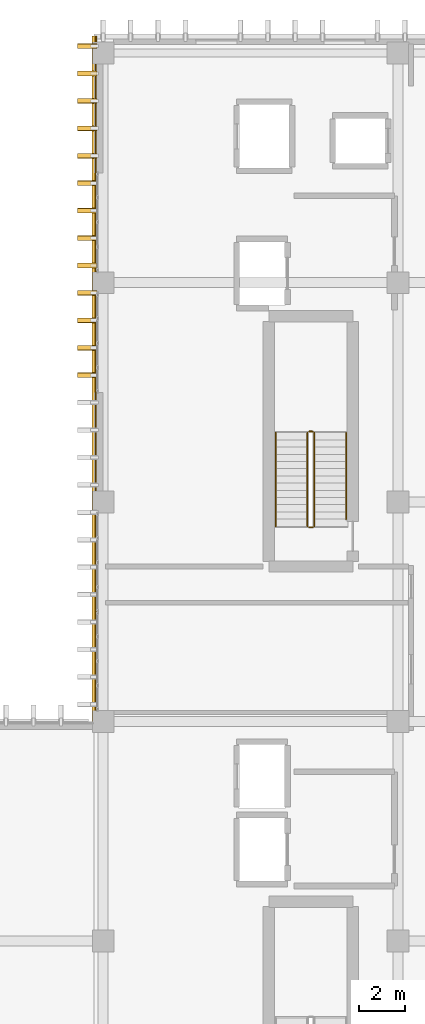
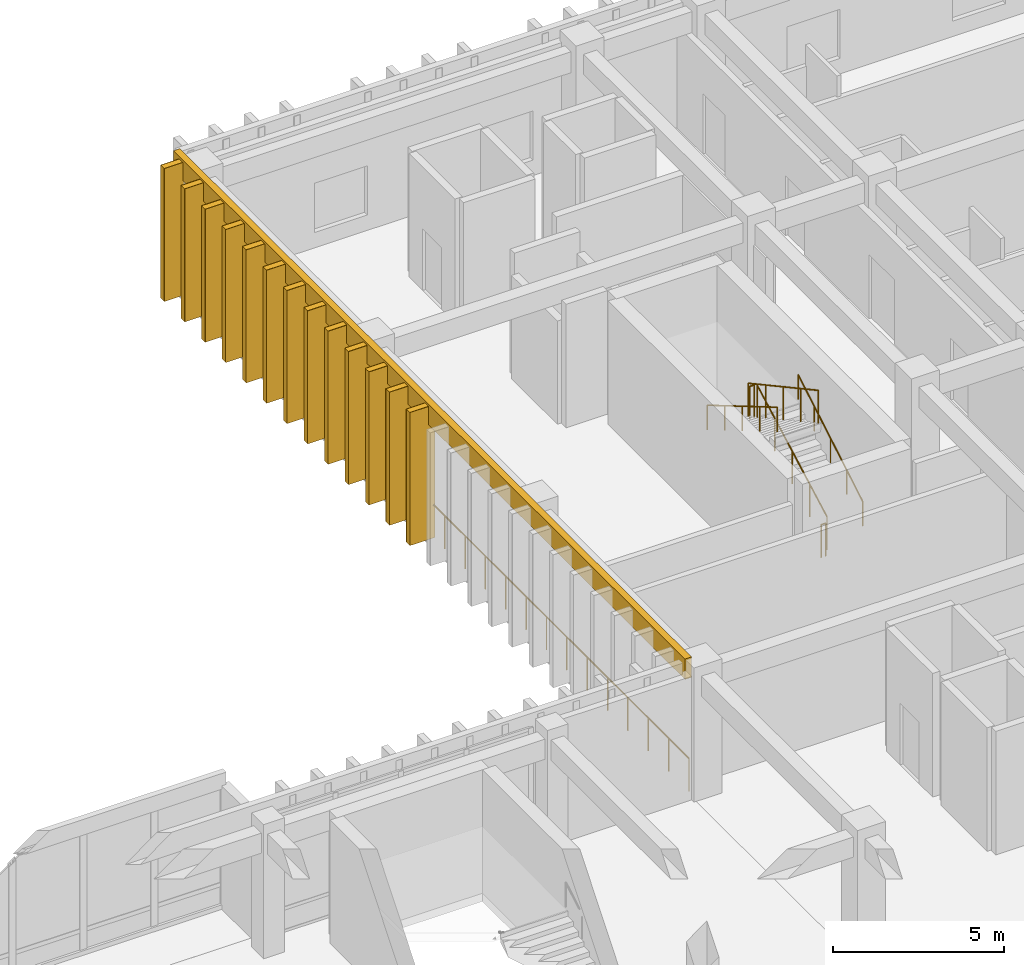
# One storey, part 132 of 133: 14 coverings, 13 shading devices, 7 railings.
"""IFC4 building model written with IfcOpenShell, lengths in metres."""

from ifc_helpers import new_model, si_unit, direction, frame, origin, origin_2d, place, context, subcontext, project, spatial, rectangle, circle, extrude, material, layer, layer_set, type_object, element, save


model = new_model("IFC4")

# Units and contexts
model_context = context("Model", 3, precision=1e-05, world=origin(), true_north=direction((0.0, 1.0)))
body_context = subcontext(model_context, "Body", "Model", "MODEL_VIEW")
ifc_project = project(units=[si_unit("LENGTHUNIT", "METRE"), si_unit("AREAUNIT", "SQUARE_METRE"), si_unit("VOLUMEUNIT", "CUBIC_METRE"), si_unit("PLANEANGLEUNIT", "RADIAN"), si_unit("MASSUNIT", "GRAM", prefix="KILO")], contexts=[model_context])

# Site, building, storey
site_placement = place(None, origin())
site = spatial("IfcSite", under=ifc_project, at=site_placement, CompositionType="ELEMENT")
building_placement = place(site_placement, origin())
building = spatial("IfcBuilding", under=site, at=building_placement, Name="Nakhvara Creek Congress Hotel", CompositionType="ELEMENT")
storey_placement = place(building_placement, frame((0.0, 0.0, 11.39990234375)))
storey = spatial("IfcBuildingStorey", under=building, at=storey_placement, Name="L02", CompositionType="ELEMENT", Elevation=11.39990234375)

# Coverings
ifc_material_1 = material(Name="Honed pale Omani limestone architectural cladding", Category="masonry")
ifc_layer_1 = layer(ifc_material_1, 0.219970703125)
ifc_layer_set_1 = layer_set([ifc_layer_1], Name="Honed pale Omani limestone architectural cladding")
covering_type_1 = type_object("IfcCoveringType", Name="COV-FIN-850", PredefinedType="CLADDING", material=ifc_layer_set_1)
for number, where, z_axis, x_axis, name in (
    (1, (148.7451171875, 111.14990234375, 0.0), (0.0, 0.0, 1.0), (0.0, 1.0, 0.0), "Pale Limestone Fin Cladding CF01-0957"),
    (2, (148.7451171875, 112.35009765625, 0.0), (0.0, 0.0, 1.0), (0.0, 1.0, 0.0), "Pale Limestone Fin Cladding CF01-0958"),
    (3, (148.7451171875, 113.550048828125, 0.0), (0.0, 0.0, 1.0), (0.0, 1.0, 0.0), "Pale Limestone Fin Cladding CF01-0960"),
    (4, (148.7451171875, 114.75, 0.0), (0.0, 0.0, 1.0), (0.0, 1.0, 0.0), "Pale Limestone Fin Cladding CF01-0962"),
    (5, (148.7451171875, 115.949951171875, 0.0), (0.0, 0.0, 1.0), (0.0, 1.0, 0.0), "Pale Limestone Fin Cladding CF01-0964"),
    (6, (148.7451171875, 117.14990234375, 0.0), (0.0, 0.0, 1.0), (0.0, 1.0, 0.0), "Pale Limestone Fin Cladding CF01-0966"),
    (7, (148.7451171875, 118.35009765625, 0.0), (0.0, 0.0, 1.0), (0.0, 1.0, 0.0), "Pale Limestone Fin Cladding CF01-0968"),
    (8, (148.7451171875, 119.550048828125, 0.0), (0.0, 0.0, 1.0), (0.0, 1.0, 0.0), "Pale Limestone Fin Cladding CF01-0970"),
    (9, (148.7451171875, 120.75, 0.0), (0.0, 0.0, 1.0), (0.0, 1.0, 0.0), "Pale Limestone Fin Cladding CF01-0972"),
    (10, (148.7451171875, 121.949951171875, 0.0), (0.0, 0.0, 1.0), (0.0, 1.0, 0.0), "Pale Limestone Fin Cladding CF01-0974"),
    (11, (148.7451171875, 123.14990234375, 0.0), (0.0, 0.0, 1.0), (0.0, 1.0, 0.0), "Pale Limestone Fin Cladding CF01-0976"),
    (12, (148.7451171875, 124.35009765625, 0.0), (0.0, 0.0, 1.0), (0.0, 1.0, 0.0), "Pale Limestone Fin Cladding CF01-0978"),
    (13, (148.7451171875, 125.550048828125, 0.0), (0.0, 0.0, 1.0), (0.0, 1.0, 0.0), "Pale Limestone Fin Cladding CF01-0980"),
):
    element("IfcCovering", number, at=place(storey_placement, frame(where, z_axis=z_axis, x_axis=x_axis)), inside=storey, type_object=covering_type_1, Name=name, PredefinedType="CLADDING", context=body_context, shape_type="SweptSolid", body=[
        extrude(rectangle(XDim=0.219970703125, YDim=0.85009765625, at=origin_2d()), origin(), (0.0, 0.0, 1.0), 4.760009765625),
    ])
ifc_layer_2 = layer(ifc_material_1, 0.179931640625)
ifc_layer_set_2 = layer_set([ifc_layer_2], Name="Honed pale Omani limestone architectural cladding")
covering_type_2 = type_object("IfcCoveringType", Name="COV-SPN-180", PredefinedType="CLADDING", material=ifc_layer_set_2)
covering_placement = place(storey_placement, frame((149.06005859375, 111.0, 4.110107421875), z_axis=(0.0, 0.0, 1.0), x_axis=(0.0, 1.0, 0.0)))
element("IfcCovering", 14, at=covering_placement, inside=storey, type_object=covering_type_2, Name="Pale Limestone Spandrel Band CF02-0050", PredefinedType="CLADDING", context=body_context, shape_type="SweptSolid", body=[
    extrude(rectangle(XDim=30.0, YDim=0.219970703125, at=origin_2d()), origin(), (0.0, 0.0, 1.0), 0.72998046875),
])

# Railings
ifc_material_2 = material(Name="Brushed stainless steel 316L", Category="steel")
railing_type_1 = type_object("IfcRailingType", Name="RL-GUARD-1200", PredefinedType="GUARDRAIL", material=ifc_material_2)
railing_1_placement = place(storey_placement, frame((149.1298828125, 96.080078125, 0.0)))
element("IfcRailing", 15, at=railing_1_placement, inside=storey, type_object=railing_type_1, Name="Perimeter Safety Rail West North L02", PredefinedType="GUARDRAIL", context=body_context, shape_type="SweptSolid", body=[
    extrude(circle(Radius=0.02392578125, at=origin_2d()), frame((0.0, 0.0146484375, 1.17578125), z_axis=(0.0, 1.0, 0.0), x_axis=(-1.0, 0.0, 0.0)), (0.0, 0.0, 1.0), 29.810546875),
    extrude(circle(Radius=0.02099609375, at=origin_2d()), origin(), (0.0, 0.0, 1.0), 1.1806640625),
    extrude(circle(Radius=0.02099609375, at=origin_2d()), frame((0.0, 1.193603515625, 0.0)), (0.0, 0.0, 1.0), 1.1806640625),
    extrude(circle(Radius=0.02099609375, at=origin_2d()), frame((0.0, 2.38720703125, 0.0)), (0.0, 0.0, 1.0), 1.1806640625),
    extrude(circle(Radius=0.02099609375, at=origin_2d()), frame((0.0, 3.580810546875, 0.0)), (0.0, 0.0, 1.0), 1.1806640625),
    extrude(circle(Radius=0.02099609375, at=origin_2d()), frame((0.0, 4.7744140625, 0.0)), (0.0, 0.0, 1.0), 1.1806640625),
    extrude(circle(Radius=0.02099609375, at=origin_2d()), frame((0.0, 5.968017578125, 0.0)), (0.0, 0.0, 1.0), 1.1806640625),
    extrude(circle(Radius=0.02099609375, at=origin_2d()), frame((0.0, 7.16162109375, 0.0)), (0.0, 0.0, 1.0), 1.1806640625),
    extrude(circle(Radius=0.02099609375, at=origin_2d()), frame((0.0, 8.355224609375, 0.0)), (0.0, 0.0, 1.0), 1.1806640625),
    extrude(circle(Radius=0.02099609375, at=origin_2d()), frame((0.0, 9.548828125, 0.0)), (0.0, 0.0, 1.0), 1.1806640625),
    extrude(circle(Radius=0.02099609375, at=origin_2d()), frame((0.0, 10.742431640625, 0.0)), (0.0, 0.0, 1.0), 1.1806640625),
    extrude(circle(Radius=0.02099609375, at=origin_2d()), frame((0.0, 11.93603515625, 0.0)), (0.0, 0.0, 1.0), 1.1806640625),
    extrude(circle(Radius=0.02099609375, at=origin_2d()), frame((0.0, 13.129638671875, 0.0)), (0.0, 0.0, 1.0), 1.1806640625),
    extrude(circle(Radius=0.02099609375, at=origin_2d()), frame((0.0, 14.3232421875, 0.0)), (0.0, 0.0, 1.0), 1.1806640625),
    extrude(circle(Radius=0.02099609375, at=origin_2d()), frame((0.0, 15.5166015625, 0.0)), (0.0, 0.0, 1.0), 1.1806640625),
    extrude(circle(Radius=0.02099609375, at=origin_2d()), frame((0.0, 16.710205078125, 0.0)), (0.0, 0.0, 1.0), 1.1806640625),
    extrude(circle(Radius=0.02099609375, at=origin_2d()), frame((0.0, 17.90380859375, 0.0)), (0.0, 0.0, 1.0), 1.1806640625),
    extrude(circle(Radius=0.02099609375, at=origin_2d()), frame((0.0, 19.097412109375, 0.0)), (0.0, 0.0, 1.0), 1.1806640625),
    extrude(circle(Radius=0.02099609375, at=origin_2d()), frame((0.0, 20.291015625, 0.0)), (0.0, 0.0, 1.0), 1.1806640625),
    extrude(circle(Radius=0.02099609375, at=origin_2d()), frame((0.0, 21.484619140625, 0.0)), (0.0, 0.0, 1.0), 1.1806640625),
    extrude(circle(Radius=0.02099609375, at=origin_2d()), frame((0.0, 22.67822265625, 0.0)), (0.0, 0.0, 1.0), 1.1806640625),
    extrude(circle(Radius=0.02099609375, at=origin_2d()), frame((0.0, 23.871826171875, 0.0)), (0.0, 0.0, 1.0), 1.1806640625),
    extrude(circle(Radius=0.02099609375, at=origin_2d()), frame((0.0, 25.0654296875, 0.0)), (0.0, 0.0, 1.0), 1.1806640625),
    extrude(circle(Radius=0.02099609375, at=origin_2d()), frame((0.0, 26.259033203125, 0.0)), (0.0, 0.0, 1.0), 1.1806640625),
    extrude(circle(Radius=0.02099609375, at=origin_2d()), frame((0.0, 27.45263671875, 0.0)), (0.0, 0.0, 1.0), 1.1806640625),
    extrude(circle(Radius=0.02099609375, at=origin_2d()), frame((0.0, 28.646240234375, 0.0)), (0.0, 0.0, 1.0), 1.1806640625),
    extrude(circle(Radius=0.02099609375, at=origin_2d()), frame((0.0, 29.83984375, 0.0)), (0.0, 0.0, 1.0), 1.1806640625),
])
railing_2_placement = place(storey_placement, frame((158.68505859375, 104.5400390625, 0.171630859375)))
element("IfcRailing", 16, at=railing_2_placement, inside=storey, type_object=railing_type_1, Name="L02 ST02 stair guard 1", PredefinedType="GUARDRAIL", context=body_context, shape_type="SweptSolid", body=[
    extrude(circle(Radius=0.02392578125, at=origin_2d()), frame((0.0, 0.012939453125, 1.182861328125), z_axis=(0.0, 0.878355465225, 0.478008029963), x_axis=(-1.0, 0.0, 0.0)), (0.0, 0.0, 1.0), 4.6328125),
    extrude(circle(Radius=0.02099609375, at=origin_2d()), origin(), (0.0, 0.0, 1.0), 1.1806640625),
    extrude(circle(Radius=0.02099609375, at=origin_2d()), frame((0.0, 1.023681640625, 0.55712890625)), (0.0, 0.0, 1.0), 1.1806640625),
    extrude(circle(Radius=0.02099609375, at=origin_2d()), frame((0.0, 2.04736328125, 1.1142578125)), (0.0, 0.0, 1.0), 1.1806640625),
    extrude(circle(Radius=0.02099609375, at=origin_2d()), frame((0.0, 3.0712890625, 1.67138671875)), (0.0, 0.0, 1.0), 1.1806640625),
    extrude(circle(Radius=0.02099609375, at=origin_2d()), frame((0.0, 4.094970703125, 2.228515625)), (0.0, 0.0, 1.0), 1.1806640625),
])
railing_3_placement = place(storey_placement, frame((158.610107421875, 108.68505859375, 2.400146484375)))
element("IfcRailing", 17, at=railing_3_placement, inside=storey, type_object=railing_type_1, Name="L02 ST02 stair guard 2", PredefinedType="GUARDRAIL", context=body_context, shape_type="SweptSolid", body=[
    extrude(circle(Radius=0.02392578125, at=origin_2d()), frame((-0.0146484375, 0.0, 1.17578125), z_axis=(-1.0, 0.0, 0.0), x_axis=(0.0, -1.0, 0.0)), (0.0, 0.0, 1.0), 0.120849609375),
    extrude(circle(Radius=0.02099609375, at=origin_2d()), origin(), (0.0, 0.0, 1.0), 1.1806640625),
    extrude(circle(Radius=0.02099609375, at=origin_2d()), frame((-0.150146484375, 0.0, 0.0)), (0.0, 0.0, 1.0), 1.1806640625),
])
railing_4_placement = place(storey_placement, frame((158.385009765625, 108.635009765625, 2.571533203125)))
element("IfcRailing", 18, at=railing_4_placement, inside=storey, type_object=railing_type_1, Name="L02 ST02 stair guard 3", PredefinedType="GUARDRAIL", context=body_context, shape_type="SweptSolid", body=[
    extrude(circle(Radius=0.02392578125, at=origin_2d()), frame((0.0, -0.012939453125, 1.182861328125), z_axis=(0.0, -0.878355465225, 0.478008029963), x_axis=(1.0, 0.0, 0.0)), (0.0, 0.0, 1.0), 4.6328125),
    extrude(circle(Radius=0.02099609375, at=origin_2d()), origin(), (0.0, 0.0, 1.0), 1.1806640625),
    extrude(circle(Radius=0.02099609375, at=origin_2d()), frame((0.0, -1.023681640625, 0.55712890625)), (0.0, 0.0, 1.0), 1.1806640625),
    extrude(circle(Radius=0.02099609375, at=origin_2d()), frame((0.0, -2.04736328125, 1.1142578125)), (0.0, 0.0, 1.0), 1.1806640625),
    extrude(circle(Radius=0.02099609375, at=origin_2d()), frame((0.0, -3.0712890625, 1.67138671875)), (0.0, 0.0, 1.0), 1.1806640625),
    extrude(circle(Radius=0.02099609375, at=origin_2d()), frame((0.0, -4.094970703125, 2.228515625)), (0.0, 0.0, 1.0), 1.1806640625),
])
railing_5_placement = place(storey_placement, frame((158.610107421875, 104.489990234375, 0.0)))
element("IfcRailing", 19, at=railing_5_placement, inside=storey, type_object=railing_type_1, Name="L02 ST02 stair guard 4", PredefinedType="GUARDRAIL", context=body_context, shape_type="SweptSolid", body=[
    extrude(circle(Radius=0.02392578125, at=origin_2d()), frame((-0.0146484375, 0.0, 1.17578125), z_axis=(-1.0, 0.0, 0.0), x_axis=(0.0, -1.0, 0.0)), (0.0, 0.0, 1.0), 0.120849609375),
    extrude(circle(Radius=0.02099609375, at=origin_2d()), origin(), (0.0, 0.0, 1.0), 1.1806640625),
    extrude(circle(Radius=0.02099609375, at=origin_2d()), frame((-0.150146484375, 0.0, 0.0)), (0.0, 0.0, 1.0), 1.1806640625),
])
railing_type_2 = type_object("IfcRailingType", Name="RL-HAND-900", PredefinedType="HANDRAIL", material=ifc_material_2)
railing_6_placement = place(storey_placement, frame((160.074951171875, 104.85498046875, 0.343017578125)))
element("IfcRailing", 20, at=railing_6_placement, inside=storey, type_object=railing_type_2, Name="L02 ST02 stair handrail 1", PredefinedType="HANDRAIL", context=body_context, shape_type="SweptSolid", body=[
    extrude(circle(Radius=0.02392578125, at=origin_2d()), frame((0.0, 0.0126953125, 0.88330078125), z_axis=(0.0, 0.860342978037, 0.509715567883), x_axis=(-1.0, 0.0, 0.0)), (0.0, 0.0, 1.0), 4.3642578125),
    extrude(circle(Radius=0.02099609375, at=origin_2d()), origin(), (0.0, 0.0, 1.0), 0.880615234375),
    extrude(circle(Radius=0.02099609375, at=origin_2d()), frame((0.0, 0.945068359375, 0.559814453125)), (0.0, 0.0, 1.0), 0.880615234375),
    extrude(circle(Radius=0.02099609375, at=origin_2d()), frame((0.0, 1.89013671875, 1.11962890625)), (0.0, 0.0, 1.0), 0.880615234375),
    extrude(circle(Radius=0.02099609375, at=origin_2d()), frame((0.0, 2.8349609375, 1.6796875)), (0.0, 0.0, 1.0), 0.880615234375),
    extrude(circle(Radius=0.02099609375, at=origin_2d()), frame((0.0, 3.780029296875, 2.239501953125)), (0.0, 0.0, 1.0), 0.880615234375),
])
railing_7_placement = place(storey_placement, frame((156.9951171875, 108.635009765625, 2.571533203125)))
element("IfcRailing", 21, at=railing_7_placement, inside=storey, type_object=railing_type_2, Name="L02 ST02 stair handrail 2", PredefinedType="HANDRAIL", context=body_context, shape_type="SweptSolid", body=[
    extrude(circle(Radius=0.02392578125, at=origin_2d()), frame((0.0, -0.0126953125, 0.88330078125), z_axis=(0.0, -0.861742646415, 0.507345652736), x_axis=(1.0, 0.0, 0.0)), (0.0, 0.0, 1.0), 4.72265625),
    extrude(circle(Radius=0.02099609375, at=origin_2d()), origin(), (0.0, 0.0, 1.0), 0.880615234375),
    extrude(circle(Radius=0.02099609375, at=origin_2d()), frame((0.0, -1.023681640625, 0.602783203125)), (0.0, 0.0, 1.0), 0.880615234375),
    extrude(circle(Radius=0.02099609375, at=origin_2d()), frame((0.0, -2.04736328125, 1.20556640625)), (0.0, 0.0, 1.0), 0.880615234375),
    extrude(circle(Radius=0.02099609375, at=origin_2d()), frame((0.0, -3.0712890625, 1.80810546875)), (0.0, 0.0, 1.0), 0.880615234375),
    extrude(circle(Radius=0.02099609375, at=origin_2d()), frame((0.0, -4.094970703125, 2.410888671875)), (0.0, 0.0, 1.0), 0.880615234375),
])

# Shading devices
ifc_material_3 = material(Name="Honed pale Omani limestone cladding on stainless steel spine", Category="masonry")
shading_device_type = type_object("IfcShadingDeviceType", Name="SHD-FIN-850X4700", PredefinedType="USERDEFINED", material=ifc_material_3)
for number, where, z_axis, x_axis, name in (
    (22, (148.7451171875, 111.14990234375, 0.0), (0.0, 0.0, 1.0), (0.0, 1.0, 0.0), "Limestone Solar Fin FN02-0822"),
    (23, (148.7451171875, 112.35009765625, 0.0), (0.0, 0.0, 1.0), (0.0, 1.0, 0.0), "Limestone Solar Fin FN02-0823"),
    (24, (148.7451171875, 113.550048828125, 0.0), (0.0, 0.0, 1.0), (0.0, 1.0, 0.0), "Limestone Solar Fin FN02-0825"),
    (25, (148.7451171875, 114.75, 0.0), (0.0, 0.0, 1.0), (0.0, 1.0, 0.0), "Limestone Solar Fin FN02-0827"),
    (26, (148.7451171875, 115.949951171875, 0.0), (0.0, 0.0, 1.0), (0.0, 1.0, 0.0), "Limestone Solar Fin FN02-0829"),
    (27, (148.7451171875, 117.14990234375, 0.0), (0.0, 0.0, 1.0), (0.0, 1.0, 0.0), "Limestone Solar Fin FN02-0831"),
    (28, (148.7451171875, 118.35009765625, 0.0), (0.0, 0.0, 1.0), (0.0, 1.0, 0.0), "Limestone Solar Fin FN02-0833"),
    (29, (148.7451171875, 119.550048828125, 0.0), (0.0, 0.0, 1.0), (0.0, 1.0, 0.0), "Limestone Solar Fin FN02-0835"),
    (30, (148.7451171875, 120.75, 0.0), (0.0, 0.0, 1.0), (0.0, 1.0, 0.0), "Limestone Solar Fin FN02-0837"),
    (31, (148.7451171875, 121.949951171875, 0.0), (0.0, 0.0, 1.0), (0.0, 1.0, 0.0), "Limestone Solar Fin FN02-0839"),
    (32, (148.7451171875, 123.14990234375, 0.0), (0.0, 0.0, 1.0), (0.0, 1.0, 0.0), "Limestone Solar Fin FN02-0841"),
    (33, (148.7451171875, 124.35009765625, 0.0), (0.0, 0.0, 1.0), (0.0, 1.0, 0.0), "Limestone Solar Fin FN02-0843"),
    (34, (148.7451171875, 125.550048828125, 0.0), (0.0, 0.0, 1.0), (0.0, 1.0, 0.0), "Limestone Solar Fin FN02-0845"),
):
    element("IfcShadingDevice", number, at=place(storey_placement, frame(where, z_axis=z_axis, x_axis=x_axis)), inside=storey, type_object=shading_device_type, Name=name, ObjectType="FIN", PredefinedType="USERDEFINED", context=body_context, shape_type="SweptSolid", body=[
        extrude(rectangle(XDim=0.199951171875, YDim=0.85009765625, at=origin_2d()), origin(), (0.0, 0.0, 1.0), 4.760009765625),
    ])

save(model, "model.ifc")
